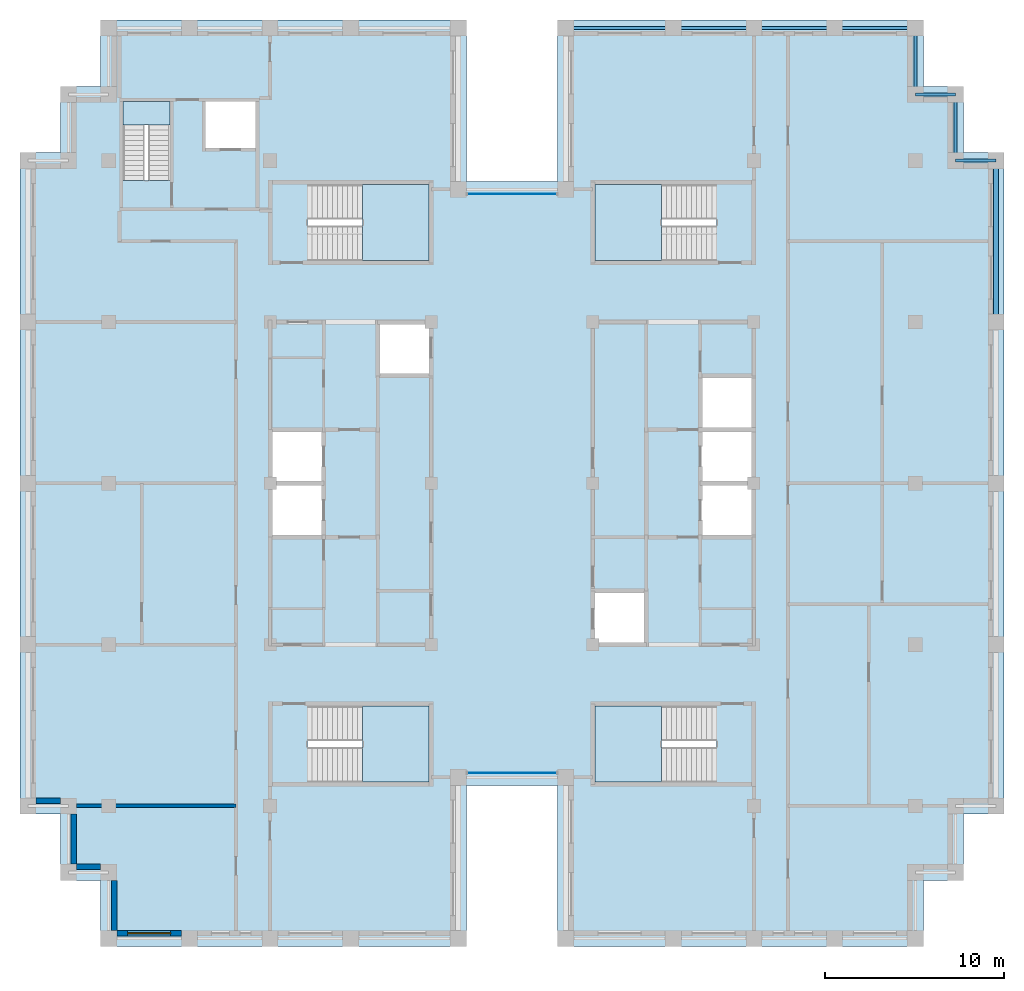
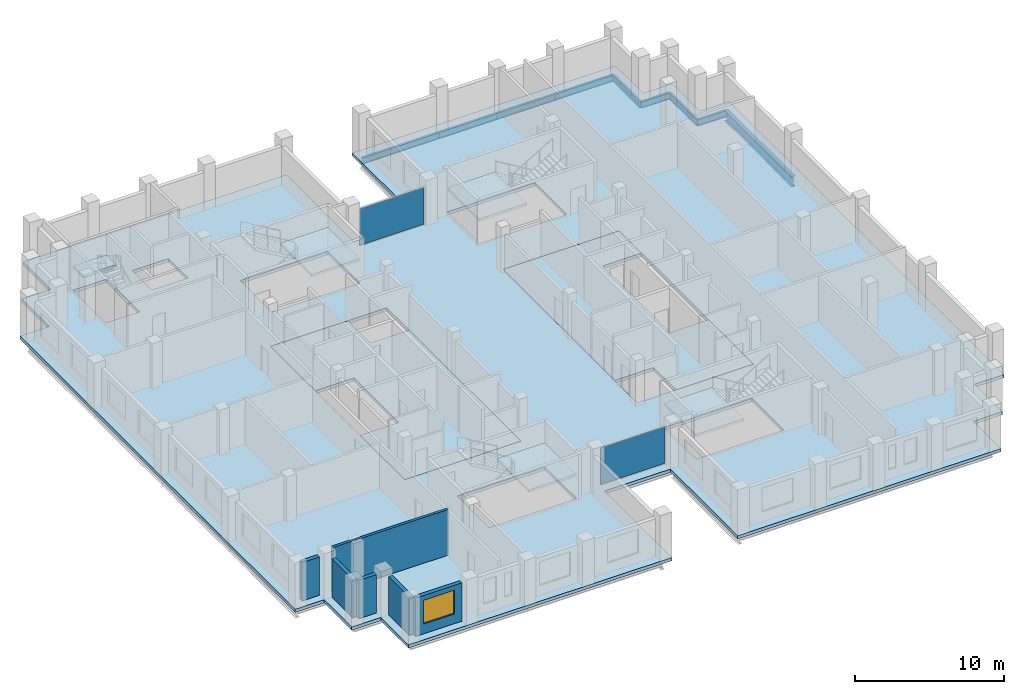
# One storey, part 5 of 13: 9 beams, 8 slabs, 6 walls, 2 plates, 1 window, 1 opening, 7 elements without a shape of their own.
"""IFC4 building model written with IfcOpenShell, lengths in metres."""

from ifc_helpers import new_model, si_unit, direction, frame, frame_2d, origin, origin_2d, place, context, subcontext, project, spatial, polyline, rectangle, i_section, outline, extrude, material, layer, layer_set, material_profile, profile_set, type_object, element, fill, aggregate, save


model = new_model("IFC4")

# Units and contexts
model_context = context("Model", 3, precision=1e-05, world=origin(), true_north=direction((0.0, 1.0)))
body_context = subcontext(model_context, "Body", "Model", "MODEL_VIEW")
ifc_project = project(units=[si_unit("LENGTHUNIT", "METRE"), si_unit("AREAUNIT", "SQUARE_METRE"), si_unit("VOLUMEUNIT", "CUBIC_METRE"), si_unit("PLANEANGLEUNIT", "RADIAN"), si_unit("MASSUNIT", "GRAM", prefix="KILO")], contexts=[model_context])

# Site, building, storey
site_placement = place(None, origin())
site = spatial("IfcSite", under=ifc_project, at=site_placement, CompositionType="ELEMENT")
building_placement = place(site_placement, origin())
building = spatial("IfcBuilding", under=site, at=building_placement, Name="Corbelhall Arena Tower", CompositionType="ELEMENT")
storey_placement = place(building_placement, frame((0.0, 0.0, 334.0)))
storey = spatial("IfcBuildingStorey", under=building, at=storey_placement, Name="L73", CompositionType="ELEMENT", Elevation=334.0)

# Beams
ifc_material_1 = material(Name="Steel ASTM A992 Gr50", Category="steel")
ifc_material_profile_1 = material_profile(ifc_material_1, i_section(OverallWidth=0.16650390625, OverallDepth=0.535888671875, WebThickness=0.01025390625, FlangeThickness=0.0166015625, at=origin_2d()))
ifc_profile_set_1 = profile_set([ifc_material_profile_1], Name="Steel ASTM A992 Gr50")
beam_type_1 = type_object("IfcBeamType", Name="ST-SPANDREL-W21x57", PredefinedType="SPANDREL", material=ifc_profile_set_1)
beam_1_placement = place(storey_placement, frame((3.0, 25.39990234375, -0.528076171875), z_axis=(1.0, 0.0, 0.0), x_axis=(0.0, 1.0, 0.0)))
element("IfcBeam", 1, at=beam_1_placement, inside=storey, type_object=beam_type_1, Name="Beam SP 6", PredefinedType="SPANDREL", context=body_context, shape_type="SweptSolid", body=[
    extrude(i_section(OverallWidth=0.16650390625, OverallDepth=0.535888671875, WebThickness=0.01025390625, FlangeThickness=0.0166015625, at=origin_2d()), origin(), (0.0, 0.0, 1.0), 6.0),
])
for number, where, z_axis, x_axis, name in (
    (2, (9.0, 25.39990234375, -0.528076171875), (1.0, 0.0, 0.0), (0.0, 1.0, 0.0), "Beam SP 7"),
    (3, (13.5, 25.39990234375, -0.528076171875), (1.0, 0.0, 0.0), (0.0, 1.0, 0.0), "Beam SP 8"),
    (4, (18.0, 25.39990234375, -0.528076171875), (1.0, 0.0, 0.0), (0.0, 1.0, 0.0), "Beam SP 9"),
):
    element("IfcBeam", number, at=place(storey_placement, frame(where, z_axis=z_axis, x_axis=x_axis)), inside=storey, type_object=beam_type_1, Name=name, PredefinedType="SPANDREL", context=body_context, shape_type="SweptSolid", body=[
        extrude(i_section(OverallWidth=0.16650390625, OverallDepth=0.535888671875, WebThickness=0.01025390625, FlangeThickness=0.0166015625, at=origin_2d()), origin(), (0.0, 0.0, 1.0), 4.5),
    ])
beam_2_placement = place(storey_placement, frame((22.5, 25.39990234375, -0.528076171875), z_axis=(0.0, -1.0, 0.0), x_axis=(1.0, 0.0, 0.0)))
element("IfcBeam", 5, at=beam_2_placement, inside=storey, type_object=beam_type_1, Name="Beam SP 10", PredefinedType="SPANDREL", context=body_context, shape_type="SweptSolid", body=[
    extrude(i_section(OverallWidth=0.16650390625, OverallDepth=0.535888671875, WebThickness=0.01025390625, FlangeThickness=0.0166015625, at=origin_2d()), origin(), (0.0, 0.0, 1.0), 3.699951171875),
])
beam_3_placement = place(storey_placement, frame((22.5, 21.699951171875, -0.528076171875), z_axis=(1.0, 0.0, 0.0), x_axis=(0.0, 1.0, 0.0)))
element("IfcBeam", 6, at=beam_3_placement, inside=storey, type_object=beam_type_1, Name="Beam SP 35", PredefinedType="SPANDREL", context=body_context, shape_type="SweptSolid", body=[
    extrude(i_section(OverallWidth=0.16650390625, OverallDepth=0.535888671875, WebThickness=0.01025390625, FlangeThickness=0.0166015625, at=origin_2d()), origin(), (0.0, 0.0, 1.0), 2.25),
])
beam_4_placement = place(storey_placement, frame((24.75, 21.699951171875, -0.528076171875), z_axis=(0.0, -1.0, 0.0), x_axis=(1.0, 0.0, 0.0)))
element("IfcBeam", 7, at=beam_4_placement, inside=storey, type_object=beam_type_1, Name="Beam SP 36", PredefinedType="SPANDREL", context=body_context, shape_type="SweptSolid", body=[
    extrude(i_section(OverallWidth=0.16650390625, OverallDepth=0.535888671875, WebThickness=0.01025390625, FlangeThickness=0.0166015625, at=origin_2d()), origin(), (0.0, 0.0, 1.0), 3.699951171875),
])
beam_5_placement = place(storey_placement, frame((24.75, 18.0, -0.528076171875), z_axis=(1.0, 0.0, 0.0), x_axis=(0.0, 1.0, 0.0)))
element("IfcBeam", 8, at=beam_5_placement, inside=storey, type_object=beam_type_1, Name="Beam SP 37", PredefinedType="SPANDREL", context=body_context, shape_type="SweptSolid", body=[
    extrude(i_section(OverallWidth=0.16650390625, OverallDepth=0.535888671875, WebThickness=0.01025390625, FlangeThickness=0.0166015625, at=origin_2d()), origin(), (0.0, 0.0, 1.0), 2.25),
])
ifc_material_profile_2 = material_profile(ifc_material_1, i_section(OverallWidth=0.2919921875, OverallDepth=0.845703125, WebThickness=0.015380859375, FlangeThickness=0.0244140625, at=origin_2d()))
ifc_profile_set_2 = profile_set([ifc_material_profile_2], Name="Steel ASTM A992 Gr50")
beam_type_2 = type_object("IfcBeamType", Name="ST-SPANDREL-W33x141", PredefinedType="SPANDREL", material=ifc_profile_set_2)
beam_6_placement = place(storey_placement, frame((27.0, 18.0, -0.682861328125), z_axis=(0.0, -1.0, 0.0), x_axis=(1.0, 0.0, 0.0)))
element("IfcBeam", 9, at=beam_6_placement, inside=storey, type_object=beam_type_2, Name="Beam SP 3", PredefinedType="SPANDREL", context=body_context, shape_type="SweptSolid", body=[
    extrude(i_section(OverallWidth=0.2919921875, OverallDepth=0.845703125, WebThickness=0.015380859375, FlangeThickness=0.0244140625, at=origin_2d()), origin(), (0.0, 0.0, 1.0), 9.0),
])

# Curtain wall, plate
ifc_material_2 = material(Name="Aluminium black anodised", Category="aluminium")
ifc_layer_1 = layer(ifc_material_2, 0.199951171875)
ifc_layer_set_1 = layer_set([ifc_layer_1], Name="EV-CW1 Slot back wall")
curtain_wall_type = type_object("IfcCurtainWallType", Name="EV-CW1 Slot back wall", PredefinedType="NOTDEFINED", material=ifc_layer_set_1)
curtain_wall_1_placement = place(storey_placement, origin())
curtain_wall_1 = element("IfcCurtainWall", 10, at=curtain_wall_1_placement, inside=storey, type_object=curtain_wall_type, Name="Curtain wall CW1", PredefinedType="NOTDEFINED")
ifc_material_3 = material(Name="Glass dark tinted laminated", Category="glass")
ifc_layer_2 = layer(ifc_material_3, 0.028076171875)
ifc_layer_set_2 = layer_set([ifc_layer_2], Name="EV-CW1-PANEL")
plate_type = type_object("IfcPlateType", Name="EV-CW1-PANEL", PredefinedType="CURTAIN_PANEL", material=ifc_layer_set_2)
plate_1_placement = place(storey_placement, frame((0.0, -16.14990234375, 0.0751953125), z_axis=(0.0, 0.0, 1.0), x_axis=(1.0, 0.0, 0.0)))
plate_1 = element("IfcPlate", 11, at=plate_1_placement, type_object=plate_type, Name="CW1 panel 1.1", PredefinedType="CURTAIN_PANEL", context=body_context, shape_type="SweptSolid", body=[
    extrude(rectangle(XDim=4.949951171875, YDim=0.028076171875, at=origin_2d()), origin(), (0.0, 0.0, 1.0), 2.989990234375),
])
aggregate(curtain_wall_1, [plate_1])

curtain_wall_2_placement = place(storey_placement, origin())
curtain_wall_2 = element("IfcCurtainWall", 12, at=curtain_wall_2_placement, inside=storey, type_object=curtain_wall_type, Name="Curtain wall CW1", PredefinedType="NOTDEFINED")
plate_2_placement = place(storey_placement, frame((0.0, 16.14990234375, 0.0751953125), z_axis=(0.0, 0.0, 1.0), x_axis=(-1.0, 0.0, 0.0)))
plate_2 = element("IfcPlate", 13, at=plate_2_placement, type_object=plate_type, Name="CW1 panel 1.1", PredefinedType="CURTAIN_PANEL", context=body_context, shape_type="SweptSolid", body=[
    extrude(rectangle(XDim=4.949951171875, YDim=0.028076171875, at=origin_2d()), origin(), (0.0, 0.0, 1.0), 2.989990234375),
])
aggregate(curtain_wall_2, [plate_2])

# Slabs
ifc_material_4 = material(Name="Concrete C40/50", Category="concrete")
ifc_layer_3 = layer(ifc_material_4, 0.300048828125)
ifc_layer_set_3 = layer_set([ifc_layer_3], Name="IN-SL-CORE")
slab_type_1 = type_object("IfcSlabType", Name="IN-SL-CORE", PredefinedType="FLOOR", material=ifc_layer_set_3)
slab_1_placement = place(storey_placement, frame((0.0, 0.0, -0.260009765625)))
element("IfcSlab", 14, at=slab_1_placement, inside=storey, type_object=slab_type_1, Name="Core floor W", PredefinedType="FLOOR", context=body_context, shape_type="SweptSolid", body=[
    extrude(outline(polyline([(-13.5, -3.0), (-13.5, -9.0), (-4.5, -9.0), (-4.5, 6.0), (-7.5, 6.0), (-7.5, 9.0), (-13.5, 9.0), (-13.5, 3.0), (-10.5, 3.0), (-10.5, 0.0), (-10.5, -3.0), (-13.5, -3.0)])), origin(), (0.0, 0.0, 1.0), 0.260009765625),
])
slab_2_placement = place(storey_placement, frame((0.0, 0.0, -0.260009765625)))
element("IfcSlab", 15, at=slab_2_placement, inside=storey, type_object=slab_type_1, Name="Core floor E", PredefinedType="FLOOR", context=body_context, shape_type="SweptSolid", body=[
    extrude(outline(polyline([(10.5, 0.0), (10.5, 3.0), (10.5, 6.0), (13.5, 6.0), (13.5, 9.0), (4.5, 9.0), (4.5, -6.0), (7.5, -6.0), (7.5, -9.0), (13.5, -9.0), (13.5, -3.0), (10.5, -3.0), (10.5, 0.0)])), origin(), (0.0, 0.0, 1.0), 0.260009765625),
])

# Stair, slab
stair_type = type_object("IfcStairType", Name="IN-ST-TOWER", PredefinedType="HALF_TURN_STAIR", material=ifc_material_4)
stair_1_placement = place(storey_placement, origin())
stair_1 = element("IfcStair", 16, at=stair_1_placement, inside=storey, type_object=stair_type, Name="L73 Exit stair ST1", PredefinedType="HALF_TURN_STAIR")
ifc_layer_4 = layer(ifc_material_4, 0.199951171875)
ifc_layer_set_4 = layer_set([ifc_layer_4], Name="IN-SL-LANDING")
slab_type_2 = type_object("IfcSlabType", Name="IN-SL-LANDING", PredefinedType="LANDING", material=ifc_layer_set_4)
slab_3_placement = place(storey_placement, frame((0.0, 0.0, 1.800048828125)))
slab_3 = element("IfcSlab", 17, at=slab_3_placement, type_object=slab_type_2, Name="ST1 landing 1", PredefinedType="LANDING", context=body_context, shape_type="SweptSolid", body=[
    extrude(outline(polyline([(-8.344970703125, 12.425048828125), (-4.625, 12.425048828125), (-4.625, 16.675048828125), (-8.344970703125, 16.675048828125), (-8.344970703125, 12.425048828125)])), origin(), (0.0, 0.0, 1.0), 0.199951171875),
])
aggregate(stair_1, [slab_3])

stair_2_placement = place(storey_placement, origin())
stair_2 = element("IfcStair", 18, at=stair_2_placement, inside=storey, type_object=stair_type, Name="L73 Exit stair ST2", PredefinedType="HALF_TURN_STAIR")
slab_4_placement = place(storey_placement, frame((0.0, 0.0, 1.800048828125)))
slab_4 = element("IfcSlab", 19, at=slab_4_placement, type_object=slab_type_2, Name="ST2 landing 1", PredefinedType="LANDING", context=body_context, shape_type="SweptSolid", body=[
    extrude(outline(polyline([(-8.344970703125, -16.675048828125), (-4.625, -16.675048828125), (-4.625, -12.425048828125), (-8.344970703125, -12.425048828125), (-8.344970703125, -16.675048828125)])), origin(), (0.0, 0.0, 1.0), 0.199951171875),
])
aggregate(stair_2, [slab_4])

stair_3_placement = place(storey_placement, origin())
stair_3 = element("IfcStair", 20, at=stair_3_placement, inside=storey, type_object=stair_type, Name="L73 Exit stair ST3", PredefinedType="HALF_TURN_STAIR")
slab_5_placement = place(storey_placement, frame((0.0, 0.0, 1.800048828125)))
slab_5 = element("IfcSlab", 21, at=slab_5_placement, type_object=slab_type_2, Name="ST3 landing 1", PredefinedType="LANDING", context=body_context, shape_type="SweptSolid", body=[
    extrude(outline(polyline([(8.344970703125, 16.675048828125), (4.625, 16.675048828125), (4.625, 12.425048828125), (8.344970703125, 12.425048828125), (8.344970703125, 16.675048828125)])), origin(), (0.0, 0.0, 1.0), 0.199951171875),
])
aggregate(stair_3, [slab_5])

stair_4_placement = place(storey_placement, origin())
stair_4 = element("IfcStair", 22, at=stair_4_placement, inside=storey, type_object=stair_type, Name="L73 Exit stair ST4", PredefinedType="HALF_TURN_STAIR")
slab_6_placement = place(storey_placement, frame((0.0, 0.0, 1.800048828125)))
slab_6 = element("IfcSlab", 23, at=slab_6_placement, type_object=slab_type_2, Name="ST4 landing 1", PredefinedType="LANDING", context=body_context, shape_type="SweptSolid", body=[
    extrude(outline(polyline([(8.344970703125, -12.425048828125), (4.625, -12.425048828125), (4.625, -16.675048828125), (8.344970703125, -16.675048828125), (8.344970703125, -12.425048828125)])), origin(), (0.0, 0.0, 1.0), 0.199951171875),
])
aggregate(stair_4, [slab_6])

stair_5_placement = place(storey_placement, origin())
stair_5 = element("IfcStair", 24, at=stair_5_placement, inside=storey, type_object=stair_type, Name="L73 Exit stair ST5", PredefinedType="HALF_TURN_STAIR")
slab_7_placement = place(storey_placement, frame((0.0, 0.0, 1.800048828125)))
slab_7 = element("IfcSlab", 25, at=slab_7_placement, type_object=slab_type_2, Name="ST5 landing 1", PredefinedType="LANDING", context=body_context, shape_type="SweptSolid", body=[
    extrude(outline(polyline([(-19.094970703125, 19.97998046875), (-19.094970703125, 21.300048828125), (-21.695068359375, 21.300048828125), (-21.695068359375, 19.97998046875), (-19.094970703125, 19.97998046875)])), origin(), (0.0, 0.0, 1.0), 0.199951171875),
])
aggregate(stair_5, [slab_7])

# Slab
ifc_layer_5 = layer(ifc_material_4, 0.260009765625)
ifc_layer_set_5 = layer_set([ifc_layer_5], Name="ST-SLAB-FLOOR-260")
slab_type_3 = type_object("IfcSlabType", Name="ST-SLAB-FLOOR-260", PredefinedType="FLOOR", material=ifc_layer_set_5)
slab_8_placement = place(storey_placement, frame((0.0, 0.0, -0.260009765625)))
element("IfcSlab", 26, at=slab_8_placement, inside=storey, type_object=slab_type_3, Name="Floor slab L73 1", PredefinedType="FLOOR", context=body_context, shape_type="SweptSolid", body=[
    extrude(outline(polyline([(22.949951171875, 25.85009765625), (2.550048828125, 25.85009765625), (2.550048828125, 16.85009765625), (-2.550048828125, 16.85009765625), (-2.550048828125, 25.85009765625), (-22.949951171875, 25.85009765625), (-22.949951171875, 22.14990234375), (-25.199951171875, 22.14990234375), (-25.199951171875, 18.449951171875), (-27.449951171875, 18.449951171875), (-27.449951171875, -18.449951171875), (-25.199951171875, -18.449951171875), (-25.199951171875, -22.14990234375), (-22.949951171875, -22.14990234375), (-22.949951171875, -25.85009765625), (-2.550048828125, -25.85009765625), (-2.550048828125, -16.85009765625), (2.550048828125, -16.85009765625), (2.550048828125, -25.85009765625), (22.949951171875, -25.85009765625), (22.949951171875, -22.14990234375), (25.199951171875, -22.14990234375), (25.199951171875, -18.449951171875), (27.449951171875, -18.449951171875), (27.449951171875, 18.449951171875), (25.199951171875, 18.449951171875), (25.199951171875, 22.14990234375), (22.949951171875, 22.14990234375), (22.949951171875, 25.85009765625)]), holes=[polyline([(-13.5, 9.0), (-13.5, -9.0), (-4.5, -9.0), (-4.5, 9.0), (-13.5, 9.0)]), polyline([(4.5, 9.0), (4.5, -9.0), (13.5, -9.0), (13.5, 9.0), (4.5, 9.0)]), polyline([(-4.625, 16.675048828125), (-11.422119140625, 16.675048828125), (-11.422119140625, 12.425048828125), (-4.625, 12.425048828125), (-4.625, 16.675048828125)]), polyline([(-4.625, -16.675048828125), (-4.625, -12.425048828125), (-11.422119140625, -12.425048828125), (-11.422119140625, -16.675048828125), (-4.625, -16.675048828125)]), polyline([(11.422119140625, 16.675048828125), (4.625, 16.675048828125), (4.625, 12.425048828125), (11.422119140625, 12.425048828125), (11.422119140625, 16.675048828125)]), polyline([(11.422119140625, -16.675048828125), (11.422119140625, -12.425048828125), (4.625, -12.425048828125), (4.625, -16.675048828125), (11.422119140625, -16.675048828125)]), polyline([(-21.695068359375, 21.300048828125), (-21.695068359375, 16.903076171875), (-19.094970703125, 16.903076171875), (-19.094970703125, 21.300048828125), (-21.695068359375, 21.300048828125)]), polyline([(-14.300048828125, 21.300048828125), (-17.10009765625, 21.300048828125), (-17.10009765625, 18.699951171875), (-14.300048828125, 18.699951171875), (-14.300048828125, 21.300048828125)])]), origin(), (0.0, 0.0, 1.0), 0.260009765625),
])

# Walls
ifc_material_5 = material(Name="Precast concrete C40/50 with granite facing", Category="masonry")
ifc_layer_6 = layer(ifc_material_5, 0.300048828125)
ifc_layer_set_6 = layer_set([ifc_layer_6], Name="EV-IW1 Infill panel 300")
wall_type_1 = type_object("IfcWallType", Name="EV-IW1 Infill panel 300", PredefinedType="SOLIDWALL", material=ifc_layer_set_6)
wall_1_placement = place(storey_placement, frame((-26.550048828125, -17.699951171875, 0.0), z_axis=(0.0, 0.0, 1.0), x_axis=(1.0, 0.0, 0.0)))
element("IfcWall", 27, at=wall_1_placement, inside=storey, type_object=wall_type_1, Name="Infill panel IW1", PredefinedType="SOLIDWALL", context=body_context, shape_type="SweptSolid", body=[
    extrude(rectangle(XDim=1.35009765625, YDim=0.300048828125, at=frame_2d((0.675048828125, 0.0))), origin(), (0.0, 0.0, 1.0), 3.139892578125),
])
wall_2_placement = place(storey_placement, frame((-24.449951171875, -18.449951171875, 0.0), z_axis=(0.0, 0.0, 1.0), x_axis=(0.0, -1.0, 0.0)))
element("IfcWall", 28, at=wall_2_placement, inside=storey, type_object=wall_type_1, Name="Infill panel IW1", PredefinedType="SOLIDWALL", context=body_context, shape_type="SweptSolid", body=[
    extrude(rectangle(XDim=2.800048828125, YDim=0.300048828125, at=frame_2d((1.39990234375, 0.0))), origin(), (0.0, 0.0, 1.0), 3.139892578125),
])
wall_3_placement = place(storey_placement, frame((-24.300048828125, -21.39990234375, 0.0), z_axis=(0.0, 0.0, 1.0), x_axis=(1.0, 0.0, 0.0)))
element("IfcWall", 29, at=wall_3_placement, inside=storey, type_object=wall_type_1, Name="Infill panel IW1", PredefinedType="SOLIDWALL", context=body_context, shape_type="SweptSolid", body=[
    extrude(rectangle(XDim=1.35009765625, YDim=0.300048828125, at=frame_2d((0.675048828125, 0.0))), origin(), (0.0, 0.0, 1.0), 3.139892578125),
])
wall_4_placement = place(storey_placement, frame((-22.199951171875, -22.14990234375, 0.0), z_axis=(0.0, 0.0, 1.0), x_axis=(0.0, -1.0, 0.0)))
element("IfcWall", 30, at=wall_4_placement, inside=storey, type_object=wall_type_1, Name="Infill panel IW1", PredefinedType="SOLIDWALL", context=body_context, shape_type="SweptSolid", body=[
    extrude(rectangle(XDim=2.800048828125, YDim=0.300048828125, at=frame_2d((1.39990234375, 0.0))), origin(), (0.0, 0.0, 1.0), 3.139892578125),
])

# Wall, opening, window
wall_5_placement = place(storey_placement, frame((-22.050048828125, -25.10009765625, 0.0), z_axis=(0.0, 0.0, 1.0), x_axis=(1.0, 0.0, 0.0)))
wall_5 = element("IfcWall", 31, at=wall_5_placement, inside=storey, type_object=wall_type_1, Name="Infill panel IW1", PredefinedType="SOLIDWALL", context=body_context, shape_type="SweptSolid", body=[
    extrude(rectangle(XDim=3.60009765625, YDim=0.300048828125, at=frame_2d((1.800048828125, 0.0))), origin(), (0.0, 0.0, 1.0), 3.139892578125),
])
opening_placement = place(wall_5_placement, frame((0.60009765625, 0.0, 0.800048828125)))
opening = element("IfcOpeningElement", 32, at=opening_placement, cuts=wall_5, Name="Opening WN1", PredefinedType="OPENING", context=body_context, shape_type="SweptSolid", body=[
    extrude(rectangle(XDim=2.39990234375, YDim=1.949951171875, at=frame_2d((1.199951171875, 0.97509765625))), frame((0.0, 0.14990234375, 0.0), z_axis=(0.0, -1.0, 0.0), x_axis=(1.0, 0.0, 0.0)), (0.0, 0.0, 1.0), 0.300048828125),
])
window_type = type_object("IfcWindowType", Name="EV-WN1 Office window", PartitioningType="SINGLE_PANEL", PredefinedType="WINDOW", material=ifc_material_2)
window_placement = place(opening_placement, origin())
window = element("IfcWindow", 33, at=window_placement, inside=storey, type_object=window_type, Name="Window WN1", OverallHeight=1.949951171875, OverallWidth=2.39990234375, PartitioningType="SINGLE_PANEL", PredefinedType="WINDOW", context=body_context, shape_type="SweptSolid", body=[
    extrude(rectangle(XDim=2.39990234375, YDim=1.949951171875, at=frame_2d((1.199951171875, 0.97509765625))), frame((0.0, 0.030029296875, 0.0), z_axis=(0.0, -1.0, 0.0), x_axis=(1.0, 0.0, 0.0)), (0.0, 0.0, 1.0), 0.06005859375),
])
fill(opening, window)

# Wall
ifc_material_6 = material(Name="Gypsum board on steel stud, acoustic", Category="steel")
ifc_layer_7 = layer(ifc_material_6, 0.199951171875)
ifc_layer_set_7 = layer_set([ifc_layer_7], Name="IN-W-DM200")
wall_type_2 = type_object("IfcWallType", Name="IN-W-DM200", PredefinedType="PARTITIONING", material=ifc_layer_set_7)
wall_6_placement = place(storey_placement, frame((-24.300048828125, -18.0, 0.0), z_axis=(0.0, 0.0, 1.0), x_axis=(1.0, 0.0, 0.0)))
element("IfcWall", 34, at=wall_6_placement, inside=storey, type_object=wall_type_2, Name="Partition 003", PredefinedType="PARTITIONING", context=body_context, shape_type="SweptSolid", body=[
    extrude(rectangle(XDim=8.900146484375, YDim=0.199951171875, at=frame_2d((4.4501953125, 0.0))), origin(), (0.0, 0.0, 1.0), 3.739990234375),
])

save(model, "model.ifc")
